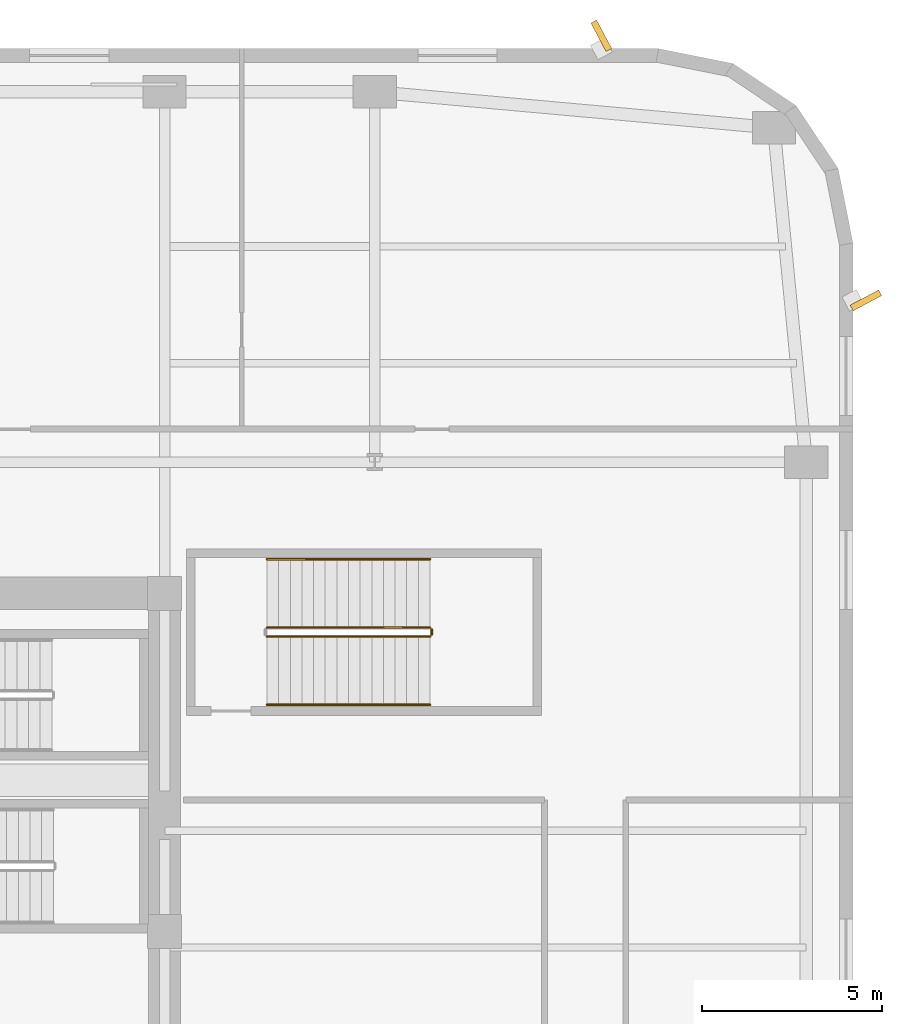
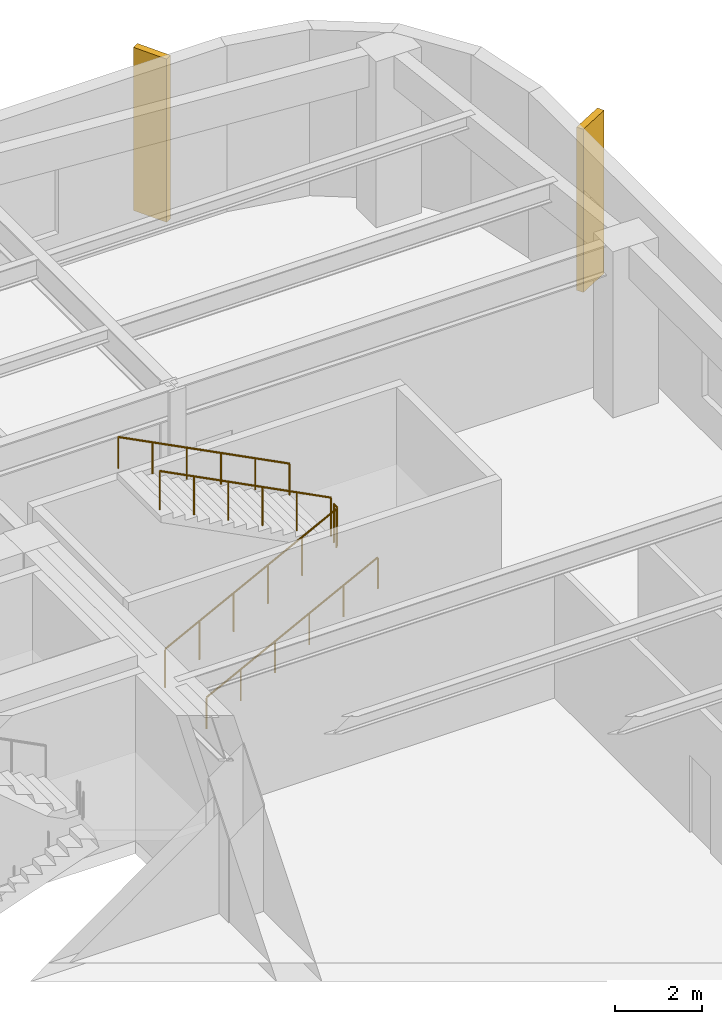
# One storey, part 24 of 24: 5 railings, 2 shading devices.
"""IFC4 building model written with IfcOpenShell, lengths in metres."""

from ifc_helpers import new_model, si_unit, direction, frame, origin, origin_2d, place, context, subcontext, project, spatial, rectangle, circle, extrude, material, type_object, element, save


model = new_model("IFC4")

# Units and contexts
model_context = context("Model", 3, precision=1e-05, world=origin(), true_north=direction((0.0, 1.0)))
body_context = subcontext(model_context, "Body", "Model", "MODEL_VIEW")
ifc_project = project(units=[si_unit("LENGTHUNIT", "METRE"), si_unit("AREAUNIT", "SQUARE_METRE"), si_unit("VOLUMEUNIT", "CUBIC_METRE"), si_unit("PLANEANGLEUNIT", "RADIAN"), si_unit("MASSUNIT", "GRAM", prefix="KILO")], contexts=[model_context])

# Site, building, storey
site_placement = place(None, origin())
site = spatial("IfcSite", under=ifc_project, at=site_placement, CompositionType="ELEMENT")
building_placement = place(site_placement, origin())
building = spatial("IfcBuilding", under=site, at=building_placement, Name="Kolvaren Arena Tower", CompositionType="ELEMENT")
storey_placement = place(building_placement, frame((0.0, 0.0, 23.0)))
storey = spatial("IfcBuildingStorey", under=building, at=storey_placement, Name="L04", CompositionType="ELEMENT", Elevation=23.0)

# Railings
ifc_material_1 = material(Name="Painted galvanized steel", Category="steel")
railing_type_1 = type_object("IfcRailingType", Name="GUARD-ST-110", PredefinedType="GUARDRAIL", material=ifc_material_1)
railing_1_placement = place(storey_placement, frame((63.199951171875, 38.14990234375, 0.166748046875)))
element("IfcRailing", 1, at=railing_1_placement, inside=storey, type_object=railing_type_1, Name="L04 ST-A8 stair guard 1", PredefinedType="GUARDRAIL", context=body_context, shape_type="SweptSolid", body=[
    extrude(circle(Radius=0.02392578125, at=origin_2d()), frame((0.0, 0.0, 1.076171875), z_axis=(0.889257211316, 0.0, 0.457407490234), x_axis=(0.0, 1.0, 0.0)), (0.0, 0.0, 1.0), 5.10107421875),
    extrude(circle(Radius=0.02099609375, at=origin_2d()), origin(), (0.0, 0.0, 1.0), 1.052001953125),
    extrude(circle(Radius=0.02099609375, at=origin_2d()), frame((0.9072265625, 0.0, 0.466552734375)), (0.0, 0.0, 1.0), 1.052001953125),
    extrude(circle(Radius=0.02099609375, at=origin_2d()), frame((1.814453125, 0.0, 0.933349609375)), (0.0, 0.0, 1.0), 1.052001953125),
    extrude(circle(Radius=0.02099609375, at=origin_2d()), frame((2.7216796875, 0.0, 1.39990234375)), (0.0, 0.0, 1.0), 1.052001953125),
    extrude(circle(Radius=0.02099609375, at=origin_2d()), frame((3.62890625, 0.0, 1.86669921875)), (0.0, 0.0, 1.0), 1.052001953125),
    extrude(circle(Radius=0.02099609375, at=origin_2d()), frame((4.5361328125, 0.0, 2.333251953125)), (0.0, 0.0, 1.0), 1.052001953125),
])
railing_2_placement = place(storey_placement, frame((67.785888671875, 38.199951171875, 2.5)))
element("IfcRailing", 2, at=railing_2_placement, inside=storey, type_object=railing_type_1, Name="L04 ST-A8 stair guard 2", PredefinedType="GUARDRAIL", context=body_context, shape_type="SweptSolid", body=[
    extrude(circle(Radius=0.02392578125, at=origin_2d()), frame((0.0, 0.0, 1.076171875), z_axis=(0.0, 1.0, 0.0), x_axis=(-1.0, 0.0, 0.0)), (0.0, 0.0, 1.0), 0.150146484375),
    extrude(circle(Radius=0.02099609375, at=origin_2d()), origin(), (0.0, 0.0, 1.0), 1.052001953125),
    extrude(circle(Radius=0.02099609375, at=origin_2d()), frame((0.0, 0.150146484375, 0.0)), (0.0, 0.0, 1.0), 1.052001953125),
])
railing_3_placement = place(storey_placement, frame((67.736083984375, 38.39990234375, 2.666748046875)))
element("IfcRailing", 3, at=railing_3_placement, inside=storey, type_object=railing_type_1, Name="L04 ST-A8 stair guard 3", PredefinedType="GUARDRAIL", context=body_context, shape_type="SweptSolid", body=[
    extrude(circle(Radius=0.02392578125, at=origin_2d()), frame((0.0, 0.0, 1.076171875), z_axis=(-0.889257211316, 0.0, 0.457407490234), x_axis=(0.0, -1.0, 0.0)), (0.0, 0.0, 1.0), 5.10107421875),
    extrude(circle(Radius=0.02099609375, at=origin_2d()), origin(), (0.0, 0.0, 1.0), 1.052001953125),
    extrude(circle(Radius=0.02099609375, at=origin_2d()), frame((-0.9072265625, 0.0, 0.466552734375)), (0.0, 0.0, 1.0), 1.052001953125),
    extrude(circle(Radius=0.02099609375, at=origin_2d()), frame((-1.814453125, 0.0, 0.933349609375)), (0.0, 0.0, 1.0), 1.052001953125),
    extrude(circle(Radius=0.02099609375, at=origin_2d()), frame((-2.7216796875, 0.0, 1.39990234375)), (0.0, 0.0, 1.0), 1.052001953125),
    extrude(circle(Radius=0.02099609375, at=origin_2d()), frame((-3.62890625, 0.0, 1.86669921875)), (0.0, 0.0, 1.0), 1.052001953125),
    extrude(circle(Radius=0.02099609375, at=origin_2d()), frame((-4.5361328125, 0.0, 2.333251953125)), (0.0, 0.0, 1.0), 1.052001953125),
])
ifc_material_2 = material(Name="Brushed stainless steel handrail", Category="steel")
railing_type_2 = type_object("IfcRailingType", Name="HRAIL-900", PredefinedType="HANDRAIL", material=ifc_material_2)
railing_4_placement = place(storey_placement, frame((63.199951171875, 36.25, 0.166748046875)))
element("IfcRailing", 4, at=railing_4_placement, inside=storey, type_object=railing_type_2, Name="L04 ST-A8 stair handrail 1", PredefinedType="HANDRAIL", context=body_context, shape_type="SweptSolid", body=[
    extrude(circle(Radius=0.02392578125, at=origin_2d()), frame((0.0, 0.0, 0.8759765625), z_axis=(0.889257211316, 0.0, 0.457407490234), x_axis=(0.0, 1.0, 0.0)), (0.0, 0.0, 1.0), 5.10107421875),
    extrude(circle(Radius=0.02099609375, at=origin_2d()), origin(), (0.0, 0.0, 1.0), 0.851806640625),
    extrude(circle(Radius=0.02099609375, at=origin_2d()), frame((0.9072265625, 0.0, 0.466552734375)), (0.0, 0.0, 1.0), 0.851806640625),
    extrude(circle(Radius=0.02099609375, at=origin_2d()), frame((1.814453125, 0.0, 0.933349609375)), (0.0, 0.0, 1.0), 0.851806640625),
    extrude(circle(Radius=0.02099609375, at=origin_2d()), frame((2.7216796875, 0.0, 1.39990234375)), (0.0, 0.0, 1.0), 0.851806640625),
    extrude(circle(Radius=0.02099609375, at=origin_2d()), frame((3.62890625, 0.0, 1.86669921875)), (0.0, 0.0, 1.0), 0.851806640625),
    extrude(circle(Radius=0.02099609375, at=origin_2d()), frame((4.5361328125, 0.0, 2.333251953125)), (0.0, 0.0, 1.0), 0.851806640625),
])
railing_5_placement = place(storey_placement, frame((67.736083984375, 40.300048828125, 2.666748046875)))
element("IfcRailing", 5, at=railing_5_placement, inside=storey, type_object=railing_type_2, Name="L04 ST-A8 stair handrail 2", PredefinedType="HANDRAIL", context=body_context, shape_type="SweptSolid", body=[
    extrude(circle(Radius=0.02392578125, at=origin_2d()), frame((0.0, 0.0, 0.8759765625), z_axis=(-0.889257211316, 0.0, 0.457407490234), x_axis=(0.0, -1.0, 0.0)), (0.0, 0.0, 1.0), 5.10107421875),
    extrude(circle(Radius=0.02099609375, at=origin_2d()), origin(), (0.0, 0.0, 1.0), 0.851806640625),
    extrude(circle(Radius=0.02099609375, at=origin_2d()), frame((-0.9072265625, 0.0, 0.466552734375)), (0.0, 0.0, 1.0), 0.851806640625),
    extrude(circle(Radius=0.02099609375, at=origin_2d()), frame((-1.814453125, 0.0, 0.933349609375)), (0.0, 0.0, 1.0), 0.851806640625),
    extrude(circle(Radius=0.02099609375, at=origin_2d()), frame((-2.7216796875, 0.0, 1.39990234375)), (0.0, 0.0, 1.0), 0.851806640625),
    extrude(circle(Radius=0.02099609375, at=origin_2d()), frame((-3.62890625, 0.0, 1.86669921875)), (0.0, 0.0, 1.0), 0.851806640625),
    extrude(circle(Radius=0.02099609375, at=origin_2d()), frame((-4.5361328125, 0.0, 2.333251953125)), (0.0, 0.0, 1.0), 0.851806640625),
])

# Shading devices
ifc_material_3 = material(Name="Precast architectural concrete C50/60 rib fin", Category="concrete")
shading_device_type = type_object("IfcShadingDeviceType", Name="SHAD-FIN-28", PredefinedType="USERDEFINED", material=ifc_material_3)
for number, where, z_axis, x_axis, name in (
    (6, (79.860107421875, 47.5, 0.02001953125), (0.0, 0.0, 1.0), (0.882947592859, 0.469471562786, 0.0), "Arena Podium 28-Deg Precast Fin (L04)"),
    (7, (72.5, 54.860107421875, 0.02001953125), (0.0, 0.0, 1.0), (-0.469471562786, 0.882947592859, 0.0), "Arena Podium 28-Deg Precast Fin (L04)"),
):
    element("IfcShadingDevice", number, at=place(storey_placement, frame(where, z_axis=z_axis, x_axis=x_axis)), inside=storey, type_object=shading_device_type, Name=name, ObjectType="FIN", PredefinedType="USERDEFINED", context=body_context, shape_type="SweptSolid", body=[
        extrude(rectangle(XDim=0.89990234375, YDim=0.179931640625, at=origin_2d()), origin(), (0.0, 0.0, 1.0), 4.570068359375),
    ])

save(model, "model.ifc")
